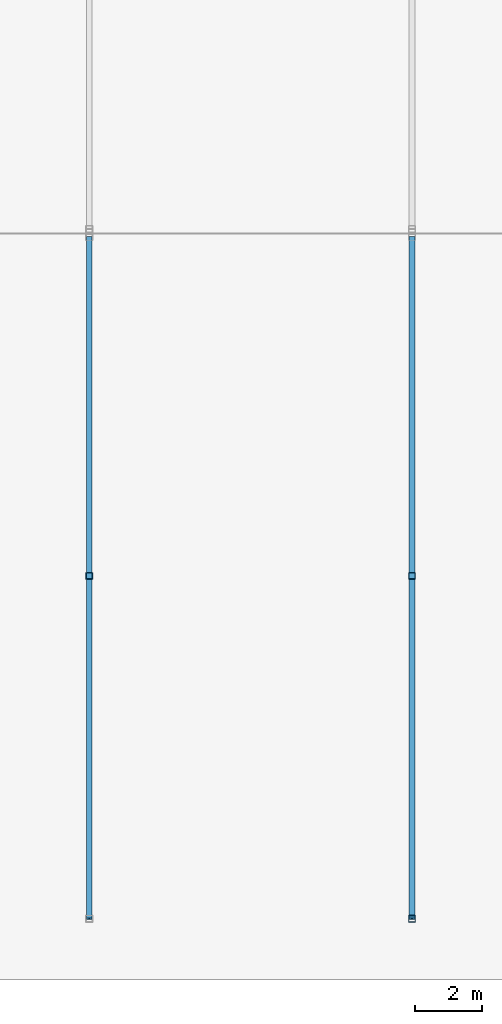
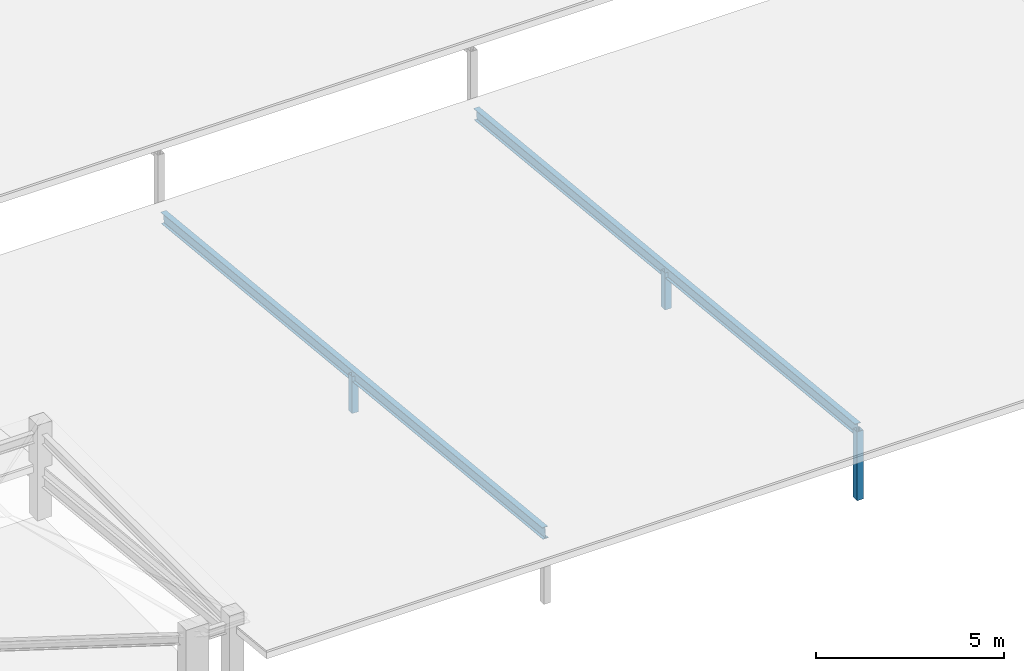
# One storey, part 2 of 11: 5 members.
"""IFC4 building model written with IfcOpenShell, lengths in metres."""

from ifc_helpers import new_model, si_unit, direction, frame, origin, origin_2d, place, context, subcontext, project, spatial, hollow_rectangle, i_section, extrude, material, material_profile, profile_set, type_object, element, save


model = new_model("IFC4")

# Units and contexts
model_context = context("Model", 3, precision=1e-05, world=origin(), true_north=direction((0.0, 1.0)))
body_context = subcontext(model_context, "Body", "Model", "MODEL_VIEW")
ifc_project = project(units=[si_unit("LENGTHUNIT", "METRE"), si_unit("AREAUNIT", "SQUARE_METRE"), si_unit("VOLUMEUNIT", "CUBIC_METRE"), si_unit("PLANEANGLEUNIT", "RADIAN"), si_unit("MASSUNIT", "GRAM", prefix="KILO")], contexts=[model_context])

# Site, building, storey
site_placement = place(None, origin())
site = spatial("IfcSite", under=ifc_project, at=site_placement, CompositionType="ELEMENT")
building_placement = place(site_placement, origin())
building = spatial("IfcBuilding", under=site, at=building_placement, Name="Vondelvale Polytechnic", CompositionType="ELEMENT")
storey_placement = place(building_placement, frame((0.0, 0.0, 34.800048828125)))
storey = spatial("IfcBuildingStorey", under=building, at=storey_placement, Name="Roof", CompositionType="ELEMENT", Elevation=34.800048828125)

# Members
ifc_material_1 = material(Name="Steel 300PLUS (fy = 300 MPa)", Category="steel")
ifc_material_profile_1 = material_profile(ifc_material_1, i_section(OverallWidth=0.172119140625, OverallDepth=0.35888671875, WebThickness=0.008056640625, FlangeThickness=0.012939453125, FilletRadius=0.011474609375, at=origin_2d()), Name="360UB56.7")
ifc_profile_set_1 = profile_set([ifc_material_profile_1], Name="Steel 300PLUS (fy = 300 MPa)")
member_type_1 = type_object("IfcMemberType", Name="RAFTER UB360", PredefinedType="RAFTER", material=ifc_profile_set_1)
for number, where, z_axis, x_axis, name in (
    (1, (19.199951171875, 0.0, 2.231201171875), (0.0, 0.994903127753, -0.100835342947), (-1.0, 0.0, 0.0), "Corner wing roof rafter 1"),
    (2, (28.800048828125, 0.0, 2.231201171875), (0.0, 0.994903127753, -0.100835342947), (-1.0, 0.0, 0.0), "Corner wing roof rafter 1"),
):
    element("IfcMember", number, at=place(storey_placement, frame(where, z_axis=z_axis, x_axis=x_axis)), inside=storey, type_object=member_type_1, Name=name, PredefinedType="RAFTER", context=body_context, shape_type="SweptSolid", body=[
        extrude(i_section(OverallWidth=0.172119140625, OverallDepth=0.35888671875, WebThickness=0.008056640625, FlangeThickness=0.012939453125, FilletRadius=0.011474609375, at=origin_2d()), origin(), (0.0, 0.0, 1.0), 20.384033203125),
    ])
ifc_material_2 = material(Name="Steel C350L0 (fy = 350 MPa)", Category="steel")
ifc_material_profile_2 = material_profile(ifc_material_2, hollow_rectangle(XDim=0.199951171875, YDim=0.199951171875, WallThickness=0.009033203125, at=origin_2d()), Name="200x200x9.0SHS")
ifc_profile_set_2 = profile_set([ifc_material_profile_2], Name="Steel C350L0 (fy = 350 MPa)")
member_type_2 = type_object("IfcMemberType", Name="ROOF TRUSS POST 200SHS", PredefinedType="POST", material=ifc_profile_set_2)
member_1_placement = place(storey_placement, frame((19.199951171875, 10.199951171875, 0.0), z_axis=(0.0, 0.0, 1.0), x_axis=(1.0, 0.0, 0.0)))
element("IfcMember", 3, at=member_1_placement, inside=storey, type_object=member_type_2, Name="Corner wing roof post 1", PredefinedType="POST", context=body_context, shape_type="SweptSolid", body=[
    extrude(hollow_rectangle(XDim=0.199951171875, YDim=0.199951171875, WallThickness=0.009033203125, at=origin_2d()), origin(), (0.0, 0.0, 1.0), 1.197265625),
])
member_2_placement = place(storey_placement, frame((28.800048828125, 0.0, 0.0), z_axis=(0.0, 0.0, 1.0), x_axis=(1.0, 0.0, 0.0)))
element("IfcMember", 4, at=member_2_placement, inside=storey, type_object=member_type_2, Name="Corner wing roof post 1", PredefinedType="POST", context=body_context, shape_type="SweptSolid", body=[
    extrude(hollow_rectangle(XDim=0.199951171875, YDim=0.199951171875, WallThickness=0.009033203125, at=origin_2d()), origin(), (0.0, 0.0, 1.0), 2.231201171875),
])
member_3_placement = place(storey_placement, frame((28.800048828125, 10.199951171875, 0.0), z_axis=(0.0, 0.0, 1.0), x_axis=(1.0, 0.0, 0.0)))
element("IfcMember", 5, at=member_3_placement, inside=storey, type_object=member_type_2, Name="Corner wing roof post 1", PredefinedType="POST", context=body_context, shape_type="SweptSolid", body=[
    extrude(hollow_rectangle(XDim=0.199951171875, YDim=0.199951171875, WallThickness=0.009033203125, at=origin_2d()), origin(), (0.0, 0.0, 1.0), 1.197265625),
])

save(model, "model.ifc")
